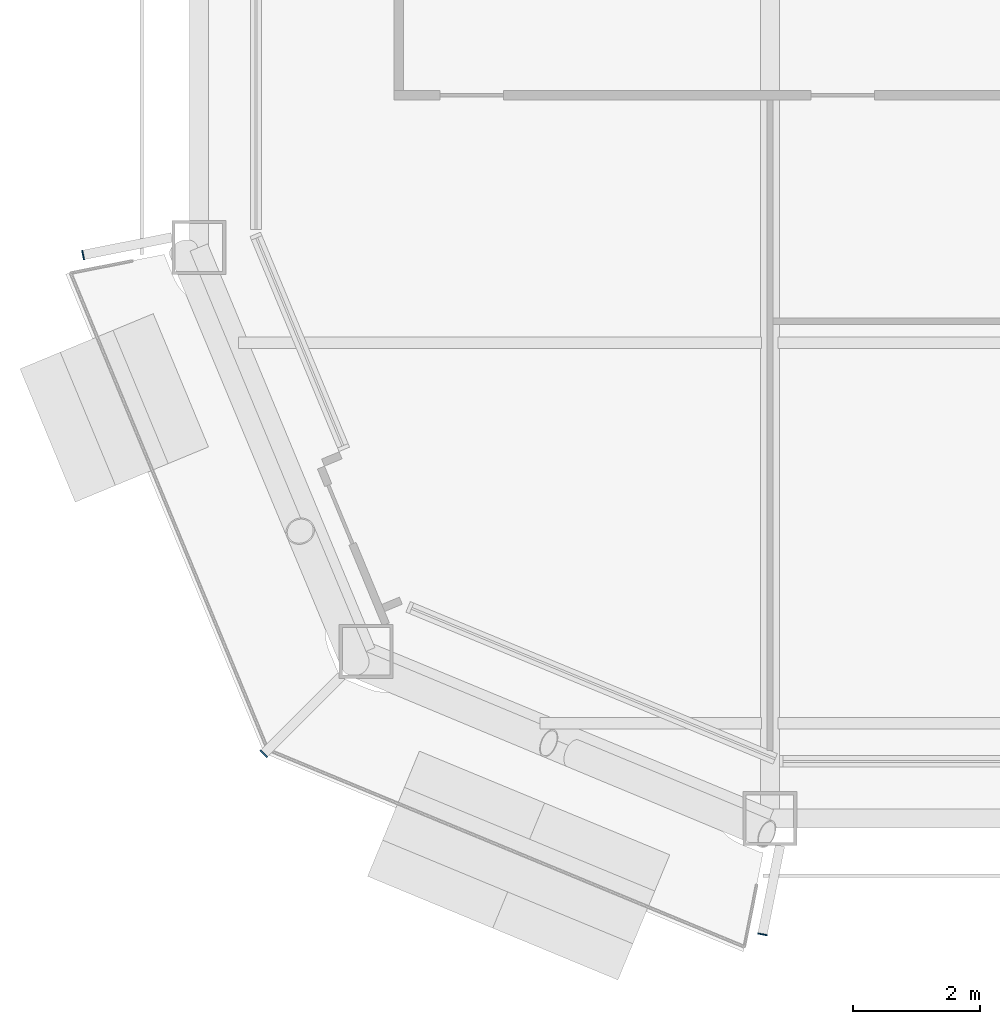
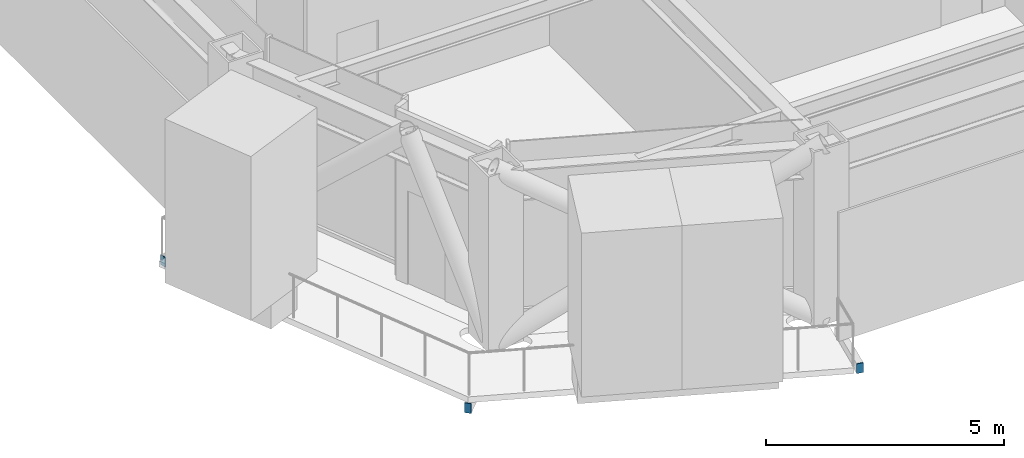
# One storey, part 17 of 23: 3 discrete accessories.
"""IFC4 building model written with IfcOpenShell, lengths in metres."""

from ifc_helpers import new_model, si_unit, direction, frame, origin, origin_2d, place, context, subcontext, project, spatial, rectangle, extrude, material, layer, layer_set, type_object, element, save


model = new_model("IFC4")

# Units and contexts
model_context = context("Model", 3, precision=1e-05, world=origin(), true_north=direction((0.0, 1.0)))
body_context = subcontext(model_context, "Body", "Model", "MODEL_VIEW")
ifc_project = project(units=[si_unit("LENGTHUNIT", "METRE"), si_unit("AREAUNIT", "SQUARE_METRE"), si_unit("VOLUMEUNIT", "CUBIC_METRE"), si_unit("PLANEANGLEUNIT", "RADIAN"), si_unit("MASSUNIT", "GRAM", prefix="KILO")], contexts=[model_context])

# Site, building, storey
site_placement = place(None, origin())
site = spatial("IfcSite", under=ifc_project, at=site_placement, CompositionType="ELEMENT")
building_placement = place(site_placement, origin())
building = spatial("IfcBuilding", under=site, at=building_placement, Name="Siwar Civic Tower", CompositionType="ELEMENT")
storey_placement = place(building_placement, frame((0.0, 0.0, 233.199951171875)))
storey = spatial("IfcBuildingStorey", under=building, at=storey_placement, Name="L50", CompositionType="ELEMENT", Elevation=233.199951171875)

# Discrete accessories
ifc_material = material(Name="Steel S355", Category="steel")
ifc_layer = layer(ifc_material, 0.02001953125)
ifc_layer_set = layer_set([ifc_layer], Name="Steel S355")
discrete_accessory_type = type_object("IfcDiscreteAccessoryType", Name="STR-END-CAP", PredefinedType="USERDEFINED", material=ifc_layer_set)
for number, where, z_axis, x_axis, name in (
    (1, (-28.8251953125, -18.118408203125, -0.39990234375), (0.0, 0.0, 1.0), (-0.980785280444, -0.195090321811, 0.0), "End cap plate Balcony cantilever beam SW 1"),
    (2, (-25.978271484375, -25.978271484375, -0.39990234375), (0.0, 0.0, 1.0), (-0.707106781187, -0.707106781187, 0.0), "End cap plate Balcony cantilever beam SW 2"),
    (3, (-18.118408203125, -28.8251953125, -0.39990234375), (0.0, 0.0, 1.0), (-0.195090321811, -0.980785280444, 0.0), "End cap plate Balcony cantilever beam SW 3"),
):
    element("IfcDiscreteAccessory", number, at=place(storey_placement, frame(where, z_axis=z_axis, x_axis=x_axis)), inside=storey, type_object=discrete_accessory_type, Name=name, ObjectType="END CAP PLATE", PredefinedType="USERDEFINED", context=body_context, shape_type="SweptSolid", body=[
        extrude(rectangle(XDim=0.02001953125, YDim=0.14990234375, at=origin_2d()), origin(), (0.0, 0.0, 1.0), 0.25),
    ])

save(model, "model.ifc")
